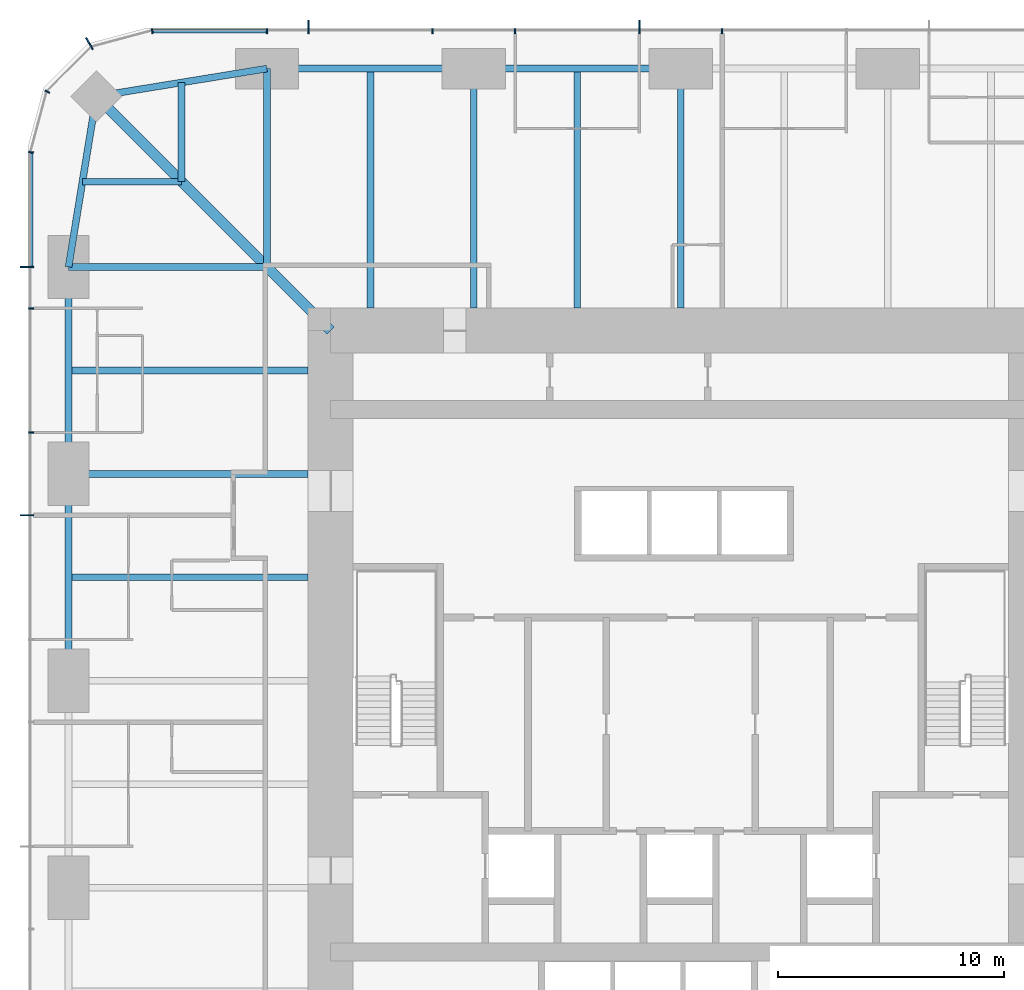
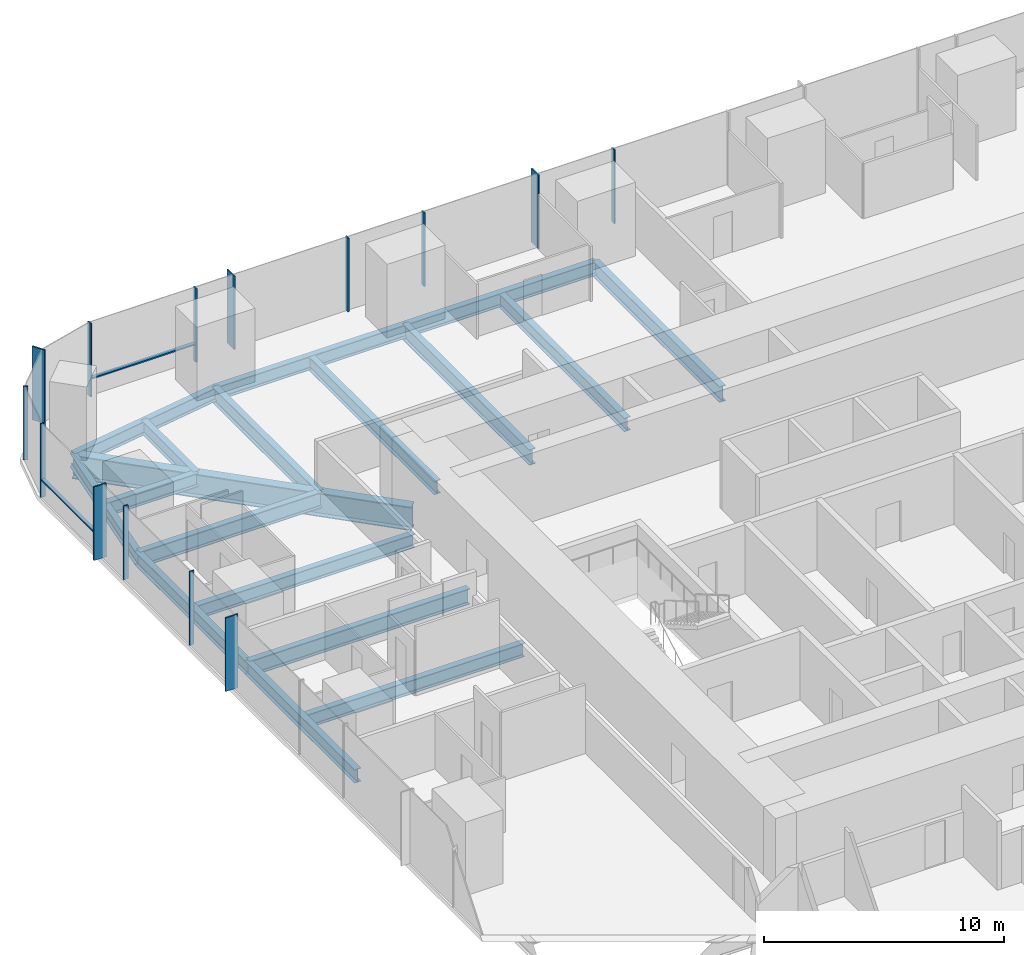
# One storey, part 5 of 13: 18 beams, 16 members, 3 elements without a shape of their own.
"""IFC4 building model written with IfcOpenShell, lengths in metres."""

from ifc_helpers import new_model, si_unit, direction, frame, origin, origin_2d, place, context, subcontext, project, spatial, rectangle, i_section, extrude, material, material_profile, profile_set, type_object, element, aggregate, save


model = new_model("IFC4")

# Units and contexts
model_context = context("Model", 3, precision=1e-05, world=origin(), true_north=direction((0.0, 1.0)))
body_context = subcontext(model_context, "Body", "Model", "MODEL_VIEW")
ifc_project = project(units=[si_unit("LENGTHUNIT", "METRE"), si_unit("AREAUNIT", "SQUARE_METRE"), si_unit("VOLUMEUNIT", "CUBIC_METRE"), si_unit("PLANEANGLEUNIT", "RADIAN"), si_unit("MASSUNIT", "GRAM", prefix="KILO")], contexts=[model_context])

# Site, building, storey
site_placement = place(None, origin())
site = spatial("IfcSite", under=ifc_project, at=site_placement, CompositionType="ELEMENT")
building_placement = place(site_placement, origin())
building = spatial("IfcBuilding", under=site, at=building_placement, Name="Khuree Lantern Residences", CompositionType="ELEMENT")
storey_placement = place(building_placement, frame((0.0, 0.0, 137.25)))
storey = spatial("IfcBuildingStorey", under=building, at=storey_placement, Name="L34", CompositionType="ELEMENT", Elevation=137.25)

# Beams
ifc_material_1 = material(Name="Steel S355", Category="steel")
ifc_material_profile_1 = material_profile(ifc_material_1, i_section(OverallWidth=0.300048828125, OverallDepth=0.68994140625, WebThickness=0.014404296875, FlangeThickness=0.027099609375, FilletRadius=0.027099609375, at=origin_2d()), Name="HE 700 A")
ifc_profile_set_1 = profile_set([ifc_material_profile_1], Name="Steel S355")
beam_type_1 = type_object("IfcBeamType", Name="B-23 SECONDARY BEAM HE 700 A", PredefinedType="BEAM", material=ifc_profile_set_1)
for number, where, z_axis, x_axis, name in (
    (1, (-13.739990234375, 27.10009765625, -0.594970703125), (0.0, -1.0, 0.0), (1.0, 0.0, 0.0), "Secondary beam N1"),
    (2, (-4.580078125, 27.10009765625, -0.594970703125), (0.0, -1.0, 0.0), (1.0, 0.0, 0.0), "Secondary beam N2"),
    (3, (-27.10009765625, 4.580078125, -0.594970703125), (1.0, 0.0, 0.0), (0.0, 1.0, 0.0), "Secondary beam W4"),
    (4, (-27.10009765625, 13.739990234375, -0.594970703125), (1.0, 0.0, 0.0), (0.0, 1.0, 0.0), "Secondary beam W5"),
):
    element("IfcBeam", number, at=place(storey_placement, frame(where, z_axis=z_axis, x_axis=x_axis)), inside=storey, type_object=beam_type_1, Name=name, PredefinedType="BEAM", context=body_context, shape_type="SweptSolid", body=[
        extrude(i_section(OverallWidth=0.300048828125, OverallDepth=0.68994140625, WebThickness=0.014404296875, FlangeThickness=0.027099609375, FilletRadius=0.027099609375, at=origin_2d()), origin(), (0.0, 0.0, 1.0), 10.60009765625),
    ])
for number, where, z_axis, x_axis, name in (
    (5, (-26.48486328125, 22.094970703125, -0.594970703125), (1.0, 0.0, 0.0), (0.0, 1.0, 0.0), "Secondary beam W6"),
    (6, (-22.094970703125, 26.48486328125, -0.594970703125), (0.0, -1.0, 0.0), (1.0, 0.0, 0.0), "Secondary beam N6"),
):
    element("IfcBeam", number, at=place(storey_placement, frame(where, z_axis=z_axis, x_axis=x_axis)), inside=storey, type_object=beam_type_1, Name=name, PredefinedType="BEAM", context=body_context, shape_type="SweptSolid", body=[
        extrude(i_section(OverallWidth=0.300048828125, OverallDepth=0.68994140625, WebThickness=0.014404296875, FlangeThickness=0.027099609375, FilletRadius=0.027099609375, at=origin_2d()), origin(), (0.0, 0.0, 1.0), 4.389892578125),
    ])
ifc_material_profile_2 = material_profile(ifc_material_1, i_section(OverallWidth=0.300048828125, OverallDepth=0.68994140625, WebThickness=0.014404296875, FlangeThickness=0.027099609375, FilletRadius=0.027099609375, at=origin_2d()), Name="HE 700 A")
ifc_profile_set_2 = profile_set([ifc_material_profile_2], Name="Steel S355")
beam_type_2 = type_object("IfcBeamType", Name="E-23 SPANDREL BEAM HE 700 A", PredefinedType="SPANDREL", material=ifc_profile_set_2)
beam_1_placement = place(storey_placement, frame((-18.320068359375, 27.10009765625, -0.594970703125), z_axis=(1.0, 0.0, 0.0), x_axis=(0.0, 1.0, 0.0)))
element("IfcBeam", 7, at=beam_1_placement, inside=storey, type_object=beam_type_2, Name="Spandrel beam N1", PredefinedType="SPANDREL", context=body_context, shape_type="SweptSolid", body=[
    extrude(i_section(OverallWidth=0.300048828125, OverallDepth=0.68994140625, WebThickness=0.014404296875, FlangeThickness=0.027099609375, FilletRadius=0.027099609375, at=origin_2d()), origin(), (0.0, 0.0, 1.0), 9.16015625),
])
for number, where, z_axis, x_axis, name in (
    (8, (-9.159912109375, 27.10009765625, -0.594970703125), (1.0, 0.0, 0.0), (0.0, 1.0, 0.0), "Spandrel beam N2"),
    (9, (-27.10009765625, 0.0, -0.594970703125), (0.0, 1.0, 0.0), (-1.0, 0.0, 0.0), "Spandrel beam W4"),
):
    element("IfcBeam", number, at=place(storey_placement, frame(where, z_axis=z_axis, x_axis=x_axis)), inside=storey, type_object=beam_type_2, Name=name, PredefinedType="SPANDREL", context=body_context, shape_type="SweptSolid", body=[
        extrude(i_section(OverallWidth=0.300048828125, OverallDepth=0.68994140625, WebThickness=0.014404296875, FlangeThickness=0.027099609375, FilletRadius=0.027099609375, at=origin_2d()), origin(), (0.0, 0.0, 1.0), 9.159912109375),
    ])
beam_2_placement = place(storey_placement, frame((-27.10009765625, 9.159912109375, -0.594970703125), z_axis=(0.0, 1.0, 0.0), x_axis=(-1.0, 0.0, 0.0)))
element("IfcBeam", 10, at=beam_2_placement, inside=storey, type_object=beam_type_2, Name="Spandrel beam W5", PredefinedType="SPANDREL", context=body_context, shape_type="SweptSolid", body=[
    extrude(i_section(OverallWidth=0.300048828125, OverallDepth=0.68994140625, WebThickness=0.014404296875, FlangeThickness=0.027099609375, FilletRadius=0.027099609375, at=origin_2d()), origin(), (0.0, 0.0, 1.0), 9.16015625),
])
for number, where, z_axis, x_axis, name in (
    (11, (-27.10009765625, 18.320068359375, -0.594970703125), (0.160826723833, 0.986982656839, 0.0), (-0.986982656839, 0.160826723833, 0.0), "Spandrel beam W6"),
    (12, (-25.869873046875, 25.869873046875, -0.594970703125), (0.986982656839, 0.160826723833, 0.0), (-0.160826723833, 0.986982656839, 0.0), "Spandrel beam N6"),
):
    element("IfcBeam", number, at=place(storey_placement, frame(where, z_axis=z_axis, x_axis=x_axis)), inside=storey, type_object=beam_type_2, Name=name, PredefinedType="SPANDREL", context=body_context, shape_type="SweptSolid", body=[
        extrude(i_section(OverallWidth=0.300048828125, OverallDepth=0.68994140625, WebThickness=0.014404296875, FlangeThickness=0.027099609375, FilletRadius=0.027099609375, at=origin_2d()), origin(), (0.0, 0.0, 1.0), 7.6494140625),
    ])

# Curtain wall, members
ifc_material_2 = material(Name="Bronze anodised aluminium", Category="aluminium")
curtain_wall_type_1 = type_object("IfcCurtainWallType", Name="CW-T1 TOWER FACE CURTAIN WALL", PredefinedType="USERDEFINED", material=ifc_material_2)
curtain_wall_1_placement = place(storey_placement, origin())
curtain_wall_1 = element("IfcCurtainWall", 13, at=curtain_wall_1_placement, inside=storey, type_object=curtain_wall_type_1, Name="L34 NORTH FACE CURTAIN WALL", ObjectType="Stick-built curtain wall", PredefinedType="USERDEFINED")
ifc_material_profile_3 = material_profile(ifc_material_2, rectangle(XDim=0.06494140625, YDim=0.60009765625, at=origin_2d()), Name="F1 65X600")
ifc_profile_set_3 = profile_set([ifc_material_profile_3], Name="Bronze anodised aluminium")
member_type_1 = type_object("IfcMemberType", Name="F1 BRONZE FIN MULLION TOWER 65X600", PredefinedType="MULLION", material=ifc_profile_set_3)
member_1_placement = place(storey_placement, frame((-1.83203125, 28.949951171875, 0.0), z_axis=(0.0, 0.0, 1.0), x_axis=(-1.0, 0.0, 0.0)))
member_1 = element("IfcMember", 14, at=member_1_placement, type_object=member_type_1, Name="L34 NORTH FACE FIN MULLION 24", PredefinedType="MULLION", context=body_context, shape_type="SweptSolid", body=[
    extrude(rectangle(XDim=0.06494140625, YDim=0.60009765625, at=origin_2d()), origin(), (0.0, 0.0, 1.0), 3.75),
])
member_2_placement = place(storey_placement, frame((-16.488037109375, 28.949951171875, 0.0), z_axis=(0.0, 0.0, 1.0), x_axis=(-1.0, 0.0, 0.0)))
member_2 = element("IfcMember", 15, at=member_2_placement, type_object=member_type_1, Name="L34 NORTH FACE FIN MULLION 27", PredefinedType="MULLION", context=body_context, shape_type="SweptSolid", body=[
    extrude(rectangle(XDim=0.06494140625, YDim=0.60009765625, at=origin_2d()), origin(), (0.0, 0.0, 1.0), 3.75),
])

# Curtain wall, member
curtain_wall_type_2 = type_object("IfcCurtainWallType", Name="CW-T2 TOWER CORNER CURTAIN WALL", PredefinedType="USERDEFINED", material=ifc_material_2)
curtain_wall_2_placement = place(storey_placement, origin())
curtain_wall_2 = element("IfcCurtainWall", 16, at=curtain_wall_2_placement, inside=storey, type_object=curtain_wall_type_2, Name="L34 NORTH-WEST CORNER CURTAIN WALL", ObjectType="Faceted corner curtain wall", PredefinedType="USERDEFINED")
member_3_placement = place(storey_placement, frame((-26.175048828125, 28.20654296875, 0.0), z_axis=(0.0, 0.0, 1.0), x_axis=(-0.866025388199, -0.500000026995, 0.0)))
member_3 = element("IfcMember", 17, at=member_3_placement, type_object=member_type_1, Name="L34 NORTH-WEST CORNER FIN MULLION 30", PredefinedType="MULLION", context=body_context, shape_type="SweptSolid", body=[
    extrude(rectangle(XDim=0.06494140625, YDim=0.60009765625, at=origin_2d()), origin(), (0.0, 0.0, 1.0), 3.75),
])

# Curtain wall, members
curtain_wall_3_placement = place(storey_placement, origin())
curtain_wall_3 = element("IfcCurtainWall", 18, at=curtain_wall_3_placement, inside=storey, type_object=curtain_wall_type_1, Name="L34 WEST FACE CURTAIN WALL", ObjectType="Stick-built curtain wall", PredefinedType="USERDEFINED")
member_4_placement = place(storey_placement, frame((-28.949951171875, 18.320068359375, 0.0), z_axis=(0.0, 0.0, 1.0), x_axis=(0.0, -1.0, 0.0)))
member_4 = element("IfcMember", 19, at=member_4_placement, type_object=member_type_1, Name="L34 WEST FACE FIN MULLION 33", PredefinedType="MULLION", context=body_context, shape_type="SweptSolid", body=[
    extrude(rectangle(XDim=0.06494140625, YDim=0.60009765625, at=origin_2d()), origin(), (0.0, 0.0, 1.0), 3.75),
])
member_5_placement = place(storey_placement, frame((-28.949951171875, 7.327880859375, 0.0), z_axis=(0.0, 0.0, 1.0), x_axis=(0.0, -1.0, 0.0)))
member_5 = element("IfcMember", 20, at=member_5_placement, type_object=member_type_1, Name="L34 WEST FACE FIN MULLION 36", PredefinedType="MULLION", context=body_context, shape_type="SweptSolid", body=[
    extrude(rectangle(XDim=0.06494140625, YDim=0.60009765625, at=origin_2d()), origin(), (0.0, 0.0, 1.0), 3.75),
])

# Beams
ifc_material_profile_4 = material_profile(ifc_material_1, i_section(OverallWidth=0.300048828125, OverallDepth=0.800048828125, WebThickness=0.017578125, FlangeThickness=0.032958984375, FilletRadius=0.030029296875, at=origin_2d()), Name="HE 800 B")
ifc_profile_set_4 = profile_set([ifc_material_profile_4], Name="Steel S355")
beam_type_3 = type_object("IfcBeamType", Name="G-23 GIRDER HE 800 B", PredefinedType="BEAM", material=ifc_profile_set_4)
beam_3_placement = place(storey_placement, frame((-18.320068359375, 27.10009765625, -0.64990234375), z_axis=(0.0, -1.0, 0.0), x_axis=(1.0, 0.0, 0.0)))
element("IfcBeam", 21, at=beam_3_placement, inside=storey, type_object=beam_type_3, Name="Girder N1", PredefinedType="BEAM", context=body_context, shape_type="SweptSolid", body=[
    extrude(i_section(OverallWidth=0.300048828125, OverallDepth=0.800048828125, WebThickness=0.017578125, FlangeThickness=0.032958984375, FilletRadius=0.030029296875, at=origin_2d()), origin(), (0.0, 0.0, 1.0), 8.780029296875),
])
for number, where, z_axis, x_axis, name in (
    (22, (-9.159912109375, 27.10009765625, -0.64990234375), (0.0, -1.0, 0.0), (1.0, 0.0, 0.0), "Girder N2"),
    (23, (0.0, 27.10009765625, -0.64990234375), (0.0, -1.0, 0.0), (1.0, 0.0, 0.0), "Girder N3"),
    (24, (-27.10009765625, 9.159912109375, -0.64990234375), (1.0, 0.0, 0.0), (0.0, 1.0, 0.0), "Girder W4"),
):
    element("IfcBeam", number, at=place(storey_placement, frame(where, z_axis=z_axis, x_axis=x_axis)), inside=storey, type_object=beam_type_3, Name=name, PredefinedType="BEAM", context=body_context, shape_type="SweptSolid", body=[
        extrude(i_section(OverallWidth=0.300048828125, OverallDepth=0.800048828125, WebThickness=0.017578125, FlangeThickness=0.032958984375, FilletRadius=0.030029296875, at=origin_2d()), origin(), (0.0, 0.0, 1.0), 10.60009765625),
    ])
beam_4_placement = place(storey_placement, frame((-27.10009765625, 18.320068359375, -0.64990234375), z_axis=(1.0, 0.0, 0.0), x_axis=(0.0, 1.0, 0.0)))
element("IfcBeam", 25, at=beam_4_placement, inside=storey, type_object=beam_type_3, Name="Girder W5", PredefinedType="BEAM", context=body_context, shape_type="SweptSolid", body=[
    extrude(i_section(OverallWidth=0.300048828125, OverallDepth=0.800048828125, WebThickness=0.017578125, FlangeThickness=0.032958984375, FilletRadius=0.030029296875, at=origin_2d()), origin(), (0.0, 0.0, 1.0), 8.780029296875),
])
ifc_material_profile_5 = material_profile(ifc_material_1, i_section(OverallWidth=0.449951171875, OverallDepth=1.199951171875, WebThickness=0.02490234375, FlangeThickness=0.044921875, at=origin_2d()), Name="WELDED I 1200X450X25X45")
ifc_profile_set_5 = profile_set([ifc_material_profile_5], Name="Steel S355")
beam_type_4 = type_object("IfcBeamType", Name="GD-23 CORNER GIRDER WELDED I 1200X450X25X45", PredefinedType="BEAM", material=ifc_profile_set_5)
beam_5_placement = place(storey_placement, frame((-25.869873046875, 25.869873046875, -0.85009765625), z_axis=(0.707106781187, -0.707106781187, 0.0), x_axis=(0.707106781187, 0.707106781187, 0.0)))
element("IfcBeam", 26, at=beam_5_placement, inside=storey, type_object=beam_type_4, Name="Corner girder NW", PredefinedType="BEAM", context=body_context, shape_type="SweptSolid", body=[
    extrude(i_section(OverallWidth=0.449951171875, OverallDepth=1.199951171875, WebThickness=0.02490234375, FlangeThickness=0.044921875, at=origin_2d()), origin(), (0.0, 0.0, 1.0), 14.665283203125),
])

# Member
ifc_material_profile_6 = material_profile(ifc_material_2, rectangle(XDim=0.06494140625, YDim=0.219970703125, at=origin_2d()), Name="M1 65X220")
ifc_profile_set_6 = profile_set([ifc_material_profile_6], Name="Bronze anodised aluminium")
member_type_2 = type_object("IfcMemberType", Name="M1 BRONZE MULLION TOWER 65X220", PredefinedType="MULLION", material=ifc_profile_set_6)
member_6_placement = place(storey_placement, frame((1.83203125, 28.760009765625, 0.0), z_axis=(0.0, 0.0, 1.0), x_axis=(-1.0, 0.0, 0.0)))
member_6 = element("IfcMember", 27, at=member_6_placement, type_object=member_type_2, Name="L34 NORTH FACE MULLION 23", PredefinedType="MULLION", context=body_context, shape_type="SweptSolid", body=[
    extrude(rectangle(XDim=0.06494140625, YDim=0.219970703125, at=origin_2d()), origin(), (0.0, 0.0, 1.0), 3.75),
])

member_7_placement = place(storey_placement, frame((-7.327880859375, 28.760009765625, 0.0), z_axis=(0.0, 0.0, 1.0), x_axis=(-1.0, 0.0, 0.0)))
member_7 = element("IfcMember", 28, at=member_7_placement, type_object=member_type_2, Name="L34 NORTH FACE MULLION 25", PredefinedType="MULLION", context=body_context, shape_type="SweptSolid", body=[
    extrude(rectangle(XDim=0.06494140625, YDim=0.219970703125, at=origin_2d()), origin(), (0.0, 0.0, 1.0), 3.75),
])

member_8_placement = place(storey_placement, frame((-10.991943359375, 28.760009765625, 0.0), z_axis=(0.0, 0.0, 1.0), x_axis=(-1.0, 0.0, 0.0)))
member_8 = element("IfcMember", 29, at=member_8_placement, type_object=member_type_2, Name="L34 NORTH FACE MULLION 26", PredefinedType="MULLION", context=body_context, shape_type="SweptSolid", body=[
    extrude(rectangle(XDim=0.06494140625, YDim=0.219970703125, at=origin_2d()), origin(), (0.0, 0.0, 1.0), 3.75),
])

member_9_placement = place(storey_placement, frame((-18.320068359375, 28.760009765625, 0.0), z_axis=(0.0, 0.0, 1.0), x_axis=(-1.0, 0.0, 0.0)))
member_9 = element("IfcMember", 30, at=member_9_placement, type_object=member_type_2, Name="L34 NORTH FACE MULLION 28", PredefinedType="MULLION", context=body_context, shape_type="SweptSolid", body=[
    extrude(rectangle(XDim=0.06494140625, YDim=0.219970703125, at=origin_2d()), origin(), (0.0, 0.0, 1.0), 3.75),
])

member_10_placement = place(storey_placement, frame((-23.39501953125, 28.76171875, 0.0), z_axis=(0.0, 0.0, 1.0), x_axis=(-0.991444857305, -0.130526223125, 0.0)))
member_10 = element("IfcMember", 31, at=member_10_placement, type_object=member_type_2, Name="L34 NORTH-WEST CORNER MULLION 29", PredefinedType="MULLION", context=body_context, shape_type="SweptSolid", body=[
    extrude(rectangle(XDim=0.06494140625, YDim=0.219970703125, at=origin_2d()), origin(), (0.0, 0.0, 1.0), 3.75),
])

member_11_placement = place(storey_placement, frame((-28.0419921875, 26.080078125, 0.0), z_axis=(0.0, 0.0, 1.0), x_axis=(-0.500000026995, -0.866025388199, 0.0)))
member_11 = element("IfcMember", 32, at=member_11_placement, type_object=member_type_2, Name="L34 NORTH-WEST CORNER MULLION 31", PredefinedType="MULLION", context=body_context, shape_type="SweptSolid", body=[
    extrude(rectangle(XDim=0.06494140625, YDim=0.219970703125, at=origin_2d()), origin(), (0.0, 0.0, 1.0), 3.75),
])

aggregate(curtain_wall_2, [member_10, member_3, member_11])

member_12_placement = place(storey_placement, frame((-28.76171875, 23.39501953125, 0.0), z_axis=(0.0, 0.0, 1.0), x_axis=(-0.130526223125, -0.991444857305, 0.0)))
member_12 = element("IfcMember", 33, at=member_12_placement, type_object=member_type_2, Name="L34 WEST FACE MULLION 32", PredefinedType="MULLION", context=body_context, shape_type="SweptSolid", body=[
    extrude(rectangle(XDim=0.06494140625, YDim=0.219970703125, at=origin_2d()), origin(), (0.0, 0.0, 1.0), 3.75),
])

member_13_placement = place(storey_placement, frame((-28.760009765625, 16.488037109375, 0.0), z_axis=(0.0, 0.0, 1.0), x_axis=(0.0, -1.0, 0.0)))
member_13 = element("IfcMember", 34, at=member_13_placement, type_object=member_type_2, Name="L34 WEST FACE MULLION 34", PredefinedType="MULLION", context=body_context, shape_type="SweptSolid", body=[
    extrude(rectangle(XDim=0.06494140625, YDim=0.219970703125, at=origin_2d()), origin(), (0.0, 0.0, 1.0), 3.75),
])

member_14_placement = place(storey_placement, frame((-28.760009765625, 10.991943359375, 0.0), z_axis=(0.0, 0.0, 1.0), x_axis=(0.0, -1.0, 0.0)))
member_14 = element("IfcMember", 35, at=member_14_placement, type_object=member_type_2, Name="L34 WEST FACE MULLION 35", PredefinedType="MULLION", context=body_context, shape_type="SweptSolid", body=[
    extrude(rectangle(XDim=0.06494140625, YDim=0.219970703125, at=origin_2d()), origin(), (0.0, 0.0, 1.0), 3.75),
])

ifc_material_profile_7 = material_profile(ifc_material_2, rectangle(XDim=0.179931640625, YDim=0.06494140625, at=origin_2d()), Name="T1 180X65")
ifc_profile_set_7 = profile_set([ifc_material_profile_7], Name="Bronze anodised aluminium")
member_type_3 = type_object("IfcMemberType", Name="TRANSOM T1 TOWER 180X65", PredefinedType="USERDEFINED", material=ifc_profile_set_7)
member_15_placement = place(storey_placement, frame((-18.3525390625, 28.77001953125, 0.89990234375), z_axis=(-1.0, 0.0, 0.0), x_axis=(0.0, -1.0, 0.0)))
member_15 = element("IfcMember", 36, at=member_15_placement, type_object=member_type_3, Name="L34 NORTH FACE TRANSOM 28.1", ObjectType="Transom", PredefinedType="USERDEFINED", context=body_context, shape_type="SweptSolid", body=[
    extrude(rectangle(XDim=0.179931640625, YDim=0.06494140625, at=origin_2d()), origin(), (0.0, 0.0, 1.0), 4.998779296875),
])

aggregate(curtain_wall_1, [member_6, member_1, member_7, member_8, member_2, member_9, member_15])

member_16_placement = place(storey_placement, frame((-28.77001953125, 23.351318359375, 0.89990234375), z_axis=(0.0, -1.0, 0.0), x_axis=(1.0, 0.0, 0.0)))
member_16 = element("IfcMember", 37, at=member_16_placement, type_object=member_type_3, Name="L34 WEST FACE TRANSOM 32.1", ObjectType="Transom", PredefinedType="USERDEFINED", context=body_context, shape_type="SweptSolid", body=[
    extrude(rectangle(XDim=0.179931640625, YDim=0.06494140625, at=origin_2d()), origin(), (0.0, 0.0, 1.0), 4.998779296875),
])

aggregate(curtain_wall_3, [member_12, member_4, member_13, member_14, member_5, member_16])

save(model, "model.ifc")
